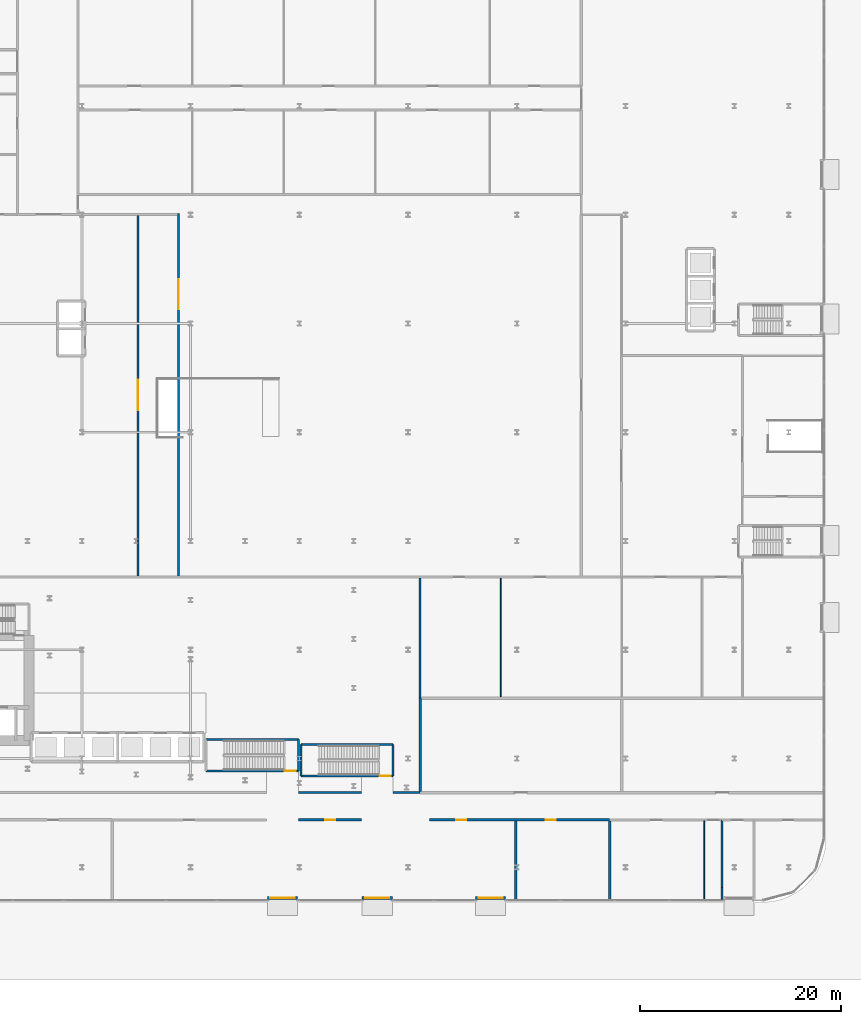
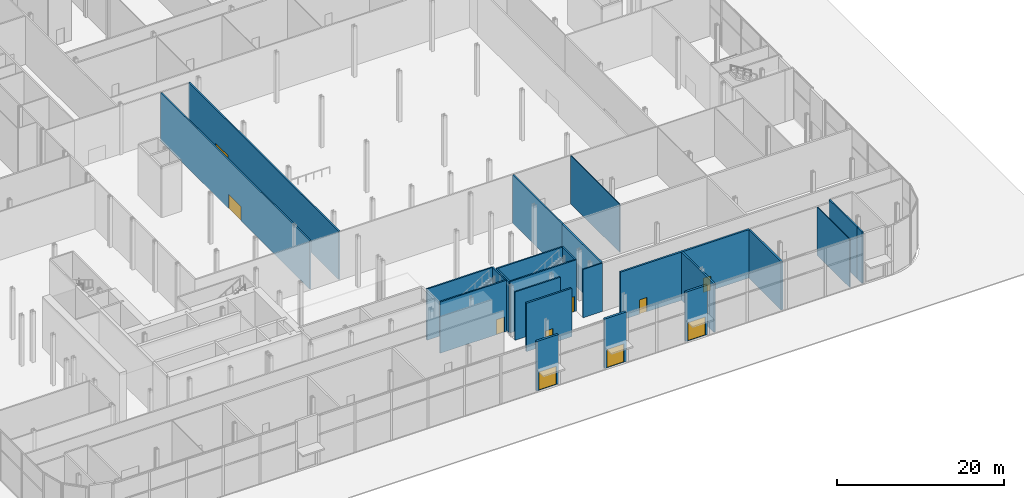
# One storey, part 26 of 46: 24 walls, 10 doors, 10 openings.
"""IFC4 building model written with IfcOpenShell, lengths in metres."""

from ifc_helpers import new_model, si_unit, direction, frame, frame_2d, origin, place, context, subcontext, project, spatial, rectangle, extrude, source, transform, mapped, material, layer, layer_set, type_object, element, fill, save


model = new_model("IFC4")

# Units and contexts
model_context = context("Model", 3, precision=1e-05, world=origin(), true_north=direction((0.0, 1.0)))
body_context = subcontext(model_context, "Body", "Model", "MODEL_VIEW")
ifc_project = project(units=[si_unit("LENGTHUNIT", "METRE"), si_unit("AREAUNIT", "SQUARE_METRE"), si_unit("VOLUMEUNIT", "CUBIC_METRE"), si_unit("PLANEANGLEUNIT", "RADIAN"), si_unit("MASSUNIT", "GRAM", prefix="KILO")], contexts=[model_context])

# Site, building, storey
site_placement = place(None, origin())
site = spatial("IfcSite", under=ifc_project, at=site_placement, CompositionType="ELEMENT")
building_placement = place(site_placement, origin())
building = spatial("IfcBuilding", under=site, at=building_placement, Name="Kheshtan School and Residences Tower", CompositionType="ELEMENT")
storey_placement = place(building_placement, origin())
storey = spatial("IfcBuildingStorey", under=building, at=storey_placement, Name="L00", CompositionType="ELEMENT", Elevation=0.0)

# Wall, opening, door
ifc_material_1 = material(Name="Gypsum board on steel studs with fire boards", Category="steel")
ifc_layer_1 = layer(ifc_material_1, 0.199951171875)
ifc_layer_set_1 = layer_set([ifc_layer_1], Name="Corridor wall 200")
wall_type_1 = type_object("IfcWallType", Name="Corridor wall 200", PredefinedType="PARTITIONING", material=ifc_layer_set_1)
wall_1_placement = place(storey_placement, frame((64.0, 42.10009765625, 0.0), z_axis=(0.0, 0.0, 1.0), x_axis=(0.0, 1.0, 0.0)))
wall_1 = element("IfcWall", 1, at=wall_1_placement, inside=storey, type_object=wall_type_1, Name="Partition L00-039", PredefinedType="PARTITIONING", context=body_context, shape_type="SweptSolid", body=[
    extrude(rectangle(XDim=35.7998046875, YDim=0.199951171875, at=frame_2d((17.89990234375, 0.0))), origin(), (0.0, 0.0, 1.0), 7.080078125),
])
opening_1_placement = place(wall_1_placement, frame((16.5, 0.0, 0.0)))
opening_1 = element("IfcOpeningElement", 2, at=opening_1_placement, cuts=wall_1, Name="Opening D00-051", PredefinedType="OPENING", context=body_context, shape_type="SweptSolid", body=[
    extrude(rectangle(XDim=3.0, YDim=2.10009765625, at=frame_2d((1.5, 1.050048828125))), frame((0.0, 0.10986328125, 0.0), z_axis=(0.0, -1.0, 0.0), x_axis=(1.0, 0.0, 0.0)), (0.0, 0.0, 1.0), 0.219970703125),
])
ifc_material_2 = material(Name="Steel-framed fire-resisting door leaf", Category="steel")
door_type_1 = type_object("IfcDoorType", Name="Fire double door FD60 3000 x 2100", OperationType="DOUBLE_DOOR_SINGLE_SWING", PredefinedType="DOOR", material=ifc_material_2)
shared_shape_1 = source(origin(), body_context, "Body", "SweptSolid", [
    extrude(rectangle(XDim=3.0, YDim=2.10009765625, at=frame_2d((1.5, 1.050048828125))), frame((0.0, 0.02490234375, 0.0), z_axis=(0.0, -1.0, 0.0), x_axis=(1.0, 0.0, 0.0)), (0.0, 0.0, 1.0), 0.050048828125),
])
door_1_placement = place(opening_1_placement, origin())
door_1 = element("IfcDoor", 3, at=door_1_placement, inside=storey, type_object=door_type_1, Name="Door D00-051", OperationType="DOUBLE_DOOR_SINGLE_SWING", OverallHeight=2.10009765625, OverallWidth=3.0, PredefinedType="DOOR", context=body_context, shape_type="MappedRepresentation", body=[
    mapped(shared_shape_1, transform((0.0, 0.0, 0.0), x_axis=(1.0, 0.0, 0.0), y_axis=(0.0, 1.0, 0.0), z_axis=(0.0, 0.0, 1.0), scale=1.0)),
])
fill(opening_1, door_1)

wall_2_placement = place(storey_placement, frame((68.0, 42.10009765625, 0.0), z_axis=(0.0, 0.0, 1.0), x_axis=(0.0, 1.0, 0.0)))
wall_2 = element("IfcWall", 4, at=wall_2_placement, inside=storey, type_object=wall_type_1, Name="Partition L00-040", PredefinedType="PARTITIONING", context=body_context, shape_type="SweptSolid", body=[
    extrude(rectangle(XDim=36.0, YDim=0.199951171875, at=frame_2d((18.0, 0.0))), origin(), (0.0, 0.0, 1.0), 7.080078125),
])
opening_2_placement = place(wall_2_placement, frame((26.5, 0.0, 0.0)))
opening_2 = element("IfcOpeningElement", 5, at=opening_2_placement, cuts=wall_2, Name="Opening D00-007", PredefinedType="OPENING", context=body_context, shape_type="SweptSolid", body=[
    extrude(rectangle(XDim=3.0, YDim=2.10009765625, at=frame_2d((1.5, 1.050048828125))), frame((0.0, 0.10986328125, 0.0), z_axis=(0.0, -1.0, 0.0), x_axis=(1.0, 0.0, 0.0)), (0.0, 0.0, 1.0), 0.219970703125),
])
door_2_placement = place(opening_2_placement, origin())
door_2 = element("IfcDoor", 6, at=door_2_placement, inside=storey, type_object=door_type_1, Name="Door D00-007", OperationType="DOUBLE_DOOR_SINGLE_SWING", OverallHeight=2.10009765625, OverallWidth=3.0, PredefinedType="DOOR", context=body_context, shape_type="MappedRepresentation", body=[
    mapped(shared_shape_1, transform((0.0, 0.0, 0.0), x_axis=(1.0, 0.0, 0.0), y_axis=(0.0, 1.0, 0.0), z_axis=(0.0, 0.0, 1.0), scale=1.0)),
])
fill(opening_2, door_2)

# Walls
wall_3_placement = place(storey_placement, frame((79.909912109375, 20.60009765625, 0.0), z_axis=(0.0, 0.0, 1.0), x_axis=(1.0, 0.0, 0.0)))
element("IfcWall", 7, at=wall_3_placement, inside=storey, type_object=wall_type_1, Name="Partition L00-046", PredefinedType="PARTITIONING", context=body_context, shape_type="SweptSolid", body=[
    extrude(rectangle(XDim=6.260009765625, YDim=0.199951171875, at=frame_2d((3.1298828125, 0.0))), origin(), (0.0, 0.0, 1.0), 7.080078125),
])
wall_4_placement = place(storey_placement, frame((89.320068359375, 20.60009765625, 0.0), z_axis=(0.0, 0.0, 1.0), x_axis=(1.0, 0.0, 0.0)))
element("IfcWall", 8, at=wall_4_placement, inside=storey, type_object=wall_type_1, Name="Partition L00-049", PredefinedType="PARTITIONING", context=body_context, shape_type="SweptSolid", body=[
    extrude(rectangle(XDim=2.679931640625, YDim=0.199951171875, at=frame_2d((1.33984375, 0.0))), origin(), (0.0, 0.0, 1.0), 7.080078125),
])
wall_5_placement = place(storey_placement, frame((92.0, 30.0, 0.0), z_axis=(0.0, 0.0, 1.0), x_axis=(0.0, 1.0, 0.0)))
element("IfcWall", 9, at=wall_5_placement, inside=storey, type_object=wall_type_1, Name="Partition L00-052", PredefinedType="PARTITIONING", context=body_context, shape_type="SweptSolid", body=[
    extrude(rectangle(XDim=11.89990234375, YDim=0.199951171875, at=frame_2d((5.949951171875, 0.0))), origin(), (0.0, 0.0, 1.0), 7.080078125),
])
ifc_material_3 = material(Name="Gypsum board on steel studs", Category="steel")
ifc_layer_2 = layer(ifc_material_3, 0.10009765625)
ifc_layer_set_2 = layer_set([ifc_layer_2], Name="Gypsum partition 100")
wall_type_2 = type_object("IfcWallType", Name="Gypsum partition 100", PredefinedType="PARTITIONING", material=ifc_layer_set_2)
wall_6_placement = place(storey_placement, frame((100.0, 30.125, 0.0), z_axis=(0.0, 0.0, 1.0), x_axis=(0.0, 1.0, 0.0)))
element("IfcWall", 10, at=wall_6_placement, inside=storey, type_object=wall_type_2, Name="Partition L00-057", PredefinedType="PARTITIONING", context=body_context, shape_type="SweptSolid", body=[
    extrude(rectangle(XDim=11.77490234375, YDim=0.10009765625, at=frame_2d((5.887451171875, 0.0))), origin(), (0.0, 0.0, 1.0), 7.080078125),
])
wall_7_placement = place(storey_placement, frame((120.235107421875, 10.0, 0.0), z_axis=(0.0, 0.0, 1.0), x_axis=(0.0, 1.0, 0.0)))
element("IfcWall", 11, at=wall_7_placement, inside=storey, type_object=wall_type_2, Name="Partition L00-077", PredefinedType="PARTITIONING", context=body_context, shape_type="SweptSolid", body=[
    extrude(rectangle(XDim=7.800048828125, YDim=0.10009765625, at=frame_2d((3.89990234375, 0.0))), origin(), (0.0, 0.0, 1.0), 7.080078125),
])

# Wall, opening, door
ifc_material_4 = material(Name="Fire-board and steel stud wall with mineral wool", Category="steel")
ifc_layer_3 = layer(ifc_material_4, 0.25)
ifc_layer_set_3 = layer_set([ifc_layer_3], Name="Plant room wall 250")
wall_type_3 = type_object("IfcWallType", Name="Plant room wall 250", PredefinedType="PARTITIONING", material=ifc_layer_set_3)
wall_8_placement = place(storey_placement, frame((79.909912109375, 17.89990234375, 0.0), z_axis=(0.0, 0.0, 1.0), x_axis=(1.0, 0.0, 0.0)))
wall_8 = element("IfcWall", 12, at=wall_8_placement, inside=storey, type_object=wall_type_3, Name="Partition L00-045", PredefinedType="PARTITIONING", context=body_context, shape_type="SweptSolid", body=[
    extrude(rectangle(XDim=6.260009765625, YDim=0.25, at=frame_2d((3.1298828125, 0.0))), origin(), (0.0, 0.0, 1.0), 7.080078125),
])
opening_3_placement = place(wall_8_placement, frame((2.64990234375, 0.0, 0.0)))
opening_3 = element("IfcOpeningElement", 13, at=opening_3_placement, cuts=wall_8, Name="Opening D00-036", PredefinedType="OPENING", context=body_context, shape_type="SweptSolid", body=[
    extrude(rectangle(XDim=1.0, YDim=2.10009765625, at=frame_2d((0.5, 1.050048828125))), frame((0.0, 0.135009765625, 0.0), z_axis=(0.0, -1.0, 0.0), x_axis=(1.0, 0.0, 0.0)), (0.0, 0.0, 1.0), 0.27001953125),
])
door_type_2 = type_object("IfcDoorType", Name="Fire door FD120 1000 x 2100", OperationType="SINGLE_SWING_LEFT", PredefinedType="DOOR", material=ifc_material_2)
shared_shape_2 = source(origin(), body_context, "Body", "SweptSolid", [
    extrude(rectangle(XDim=1.0, YDim=2.10009765625, at=frame_2d((0.5, 1.050048828125))), frame((0.0, 0.02490234375, 0.0), z_axis=(0.0, -1.0, 0.0), x_axis=(1.0, 0.0, 0.0)), (0.0, 0.0, 1.0), 0.050048828125),
])
door_3_placement = place(opening_3_placement, origin())
door_3 = element("IfcDoor", 14, at=door_3_placement, inside=storey, type_object=door_type_2, Name="Door D00-036", OperationType="SINGLE_SWING_LEFT", OverallHeight=2.10009765625, OverallWidth=1.0, PredefinedType="DOOR", context=body_context, shape_type="MappedRepresentation", body=[
    mapped(shared_shape_2, transform((0.0, 0.0, 0.0), x_axis=(1.0, 0.0, 0.0), y_axis=(0.0, 1.0, 0.0), z_axis=(0.0, 0.0, 1.0), scale=1.0)),
])
fill(opening_3, door_3)

# Wall
wall_9_placement = place(storey_placement, frame((92.0, 20.72509765625, 0.0), z_axis=(0.0, 0.0, 1.0), x_axis=(0.0, 1.0, 0.0)))
element("IfcWall", 15, at=wall_9_placement, inside=storey, type_object=wall_type_3, Name="Partition L00-051", PredefinedType="PARTITIONING", context=body_context, shape_type="SweptSolid", body=[
    extrude(rectangle(XDim=9.27490234375, YDim=0.25, at=frame_2d((4.637451171875, 0.0))), origin(), (0.0, 0.0, 1.0), 7.080078125),
])

# Wall, openings, doors
wall_10_placement = place(storey_placement, frame((92.919921875, 17.89990234375, 0.0), z_axis=(0.0, 0.0, 1.0), x_axis=(1.0, 0.0, 0.0)))
wall_10 = element("IfcWall", 16, at=wall_10_placement, inside=storey, type_object=wall_type_3, Name="Partition L00-054", PredefinedType="PARTITIONING", context=body_context, shape_type="SweptSolid", body=[
    extrude(rectangle(XDim=17.904052734375, YDim=0.25, at=frame_2d((8.9521484375, 0.0))), origin(), (0.0, 0.0, 1.0), 7.080078125),
])
opening_4_placement = place(wall_10_placement, frame((2.64990234375, 0.0, 0.0)))
opening_4 = element("IfcOpeningElement", 17, at=opening_4_placement, cuts=wall_10, Name="Opening D00-037", PredefinedType="OPENING", context=body_context, shape_type="SweptSolid", body=[
    extrude(rectangle(XDim=1.0, YDim=2.10009765625, at=frame_2d((0.5, 1.050048828125))), frame((0.0, 0.135009765625, 0.0), z_axis=(0.0, -1.0, 0.0), x_axis=(1.0, 0.0, 0.0)), (0.0, 0.0, 1.0), 0.27001953125),
])
opening_5_placement = place(wall_10_placement, frame((11.5390625, 0.0, 0.0)))
opening_5 = element("IfcOpeningElement", 18, at=opening_5_placement, cuts=wall_10, Name="Opening D00-038", PredefinedType="OPENING", context=body_context, shape_type="SweptSolid", body=[
    extrude(rectangle(XDim=1.0, YDim=2.10009765625, at=frame_2d((0.5, 1.050048828125))), frame((0.0, 0.135009765625, 0.0), z_axis=(0.0, -1.0, 0.0), x_axis=(1.0, 0.0, 0.0)), (0.0, 0.0, 1.0), 0.27001953125),
])
door_4_placement = place(opening_4_placement, origin())
door_4 = element("IfcDoor", 19, at=door_4_placement, inside=storey, type_object=door_type_2, Name="Door D00-037", OperationType="SINGLE_SWING_LEFT", OverallHeight=2.10009765625, OverallWidth=1.0, PredefinedType="DOOR", context=body_context, shape_type="MappedRepresentation", body=[
    mapped(shared_shape_2, transform((0.0, 0.0, 0.0), x_axis=(1.0, 0.0, 0.0), y_axis=(0.0, 1.0, 0.0), z_axis=(0.0, 0.0, 1.0), scale=1.0)),
])
fill(opening_4, door_4)
door_5_placement = place(opening_5_placement, origin())
door_5 = element("IfcDoor", 20, at=door_5_placement, inside=storey, type_object=door_type_2, Name="Door D00-038", OperationType="SINGLE_SWING_RIGHT", OverallHeight=2.10009765625, OverallWidth=1.0, PredefinedType="DOOR", context=body_context, shape_type="MappedRepresentation", body=[
    mapped(shared_shape_2, transform((0.0, 0.0, 0.0), x_axis=(1.0, 0.0, 0.0), y_axis=(0.0, 1.0, 0.0), z_axis=(0.0, 0.0, 1.0), scale=1.0)),
])
fill(opening_5, door_5)

# Walls
for number, where, z_axis, x_axis, name in (
    (21, (101.5, 10.0, 0.0), (0.0, 0.0, 1.0), (0.0, 1.0, 0.0), "Partition L00-058"),
    (22, (110.823974609375, 10.0, 0.0), (0.0, 0.0, 1.0), (0.0, 1.0, 0.0), "Partition L00-067"),
):
    element("IfcWall", number, at=place(storey_placement, frame(where, z_axis=z_axis, x_axis=x_axis)), inside=storey, type_object=wall_type_3, Name=name, PredefinedType="PARTITIONING", context=body_context, shape_type="SweptSolid", body=[
        extrude(rectangle(XDim=7.77490234375, YDim=0.25, at=frame_2d((3.887451171875, 0.0))), origin(), (0.0, 0.0, 1.0), 7.080078125),
    ])

# Wall, opening, door
ifc_material_5 = material(Name="Concrete C40/50 with ceramic cladding and mineral wool insulation", Category="concrete")
ifc_layer_4 = layer(ifc_material_5, 0.300048828125)
ifc_layer_set_4 = layer_set([ifc_layer_4], Name="Podium external wall 300")
wall_type_4 = type_object("IfcWallType", Name="Podium external wall 300", PredefinedType="SOLIDWALL", material=ifc_layer_set_4)
wall_11_placement = place(storey_placement, frame((100.5, 10.14990234375, 0.0), z_axis=(0.0, 0.0, 1.0), x_axis=(-1.0, 0.0, 0.0)))
wall_11 = element("IfcWall", 23, at=wall_11_placement, inside=storey, type_object=wall_type_4, Name="Podium external wall L00 12.3", PredefinedType="SOLIDWALL", context=body_context, shape_type="SweptSolid", body=[
    extrude(rectangle(XDim=3.0, YDim=0.300048828125, at=frame_2d((1.5, 0.0))), origin(), (0.0, 0.0, 1.0), 7.25),
])
opening_6_placement = place(wall_11_placement, frame((0.300048828125, 0.0, 0.0)))
opening_6 = element("IfcOpeningElement", 24, at=opening_6_placement, cuts=wall_11, Name="Opening ED", PredefinedType="OPENING", context=body_context, shape_type="SweptSolid", body=[
    extrude(rectangle(XDim=2.39990234375, YDim=2.699951171875, at=frame_2d((1.199951171875, 1.35009765625))), frame((0.0, 0.16015625, 0.0), z_axis=(0.0, -1.0, 0.0), x_axis=(1.0, 0.0, 0.0)), (0.0, 0.0, 1.0), 0.320068359375),
])
ifc_material_6 = material(Name="Clear low-e glass in thermally broken aluminium frame", Category="aluminium")
door_type_3 = type_object("IfcDoorType", Name="Entrance double door", OperationType="DOUBLE_DOOR_SINGLE_SWING", PredefinedType="DOOR", material=ifc_material_6)
shared_shape_3 = source(origin(), body_context, "Body", "SweptSolid", [
    extrude(rectangle(XDim=2.39990234375, YDim=2.699951171875, at=frame_2d((1.199951171875, 1.35009765625))), frame((0.0, 0.02490234375, 0.0), z_axis=(0.0, -1.0, 0.0), x_axis=(1.0, 0.0, 0.0)), (0.0, 0.0, 1.0), 0.050048828125),
])
door_6_placement = place(opening_6_placement, origin())
door_6 = element("IfcDoor", 25, at=door_6_placement, inside=storey, type_object=door_type_3, Name="Entrance door 12.3", OperationType="DOUBLE_DOOR_SINGLE_SWING", OverallHeight=2.699951171875, OverallWidth=2.39990234375, PredefinedType="DOOR", context=body_context, shape_type="MappedRepresentation", body=[
    mapped(shared_shape_3, transform((0.0, 0.0, 0.0), x_axis=(1.0, 0.0, 0.0), y_axis=(0.0, 1.0, 0.0), z_axis=(0.0, 0.0, 1.0), scale=1.0)),
])
fill(opening_6, door_6)

wall_12_placement = place(storey_placement, frame((89.2451171875, 10.14990234375, 0.0), z_axis=(0.0, 0.0, 1.0), x_axis=(-1.0, 0.0, 0.0)))
wall_12 = element("IfcWall", 26, at=wall_12_placement, inside=storey, type_object=wall_type_4, Name="Podium external wall L00 12.5", PredefinedType="SOLIDWALL", context=body_context, shape_type="SweptSolid", body=[
    extrude(rectangle(XDim=3.0, YDim=0.300048828125, at=frame_2d((1.5, 0.0))), origin(), (0.0, 0.0, 1.0), 7.25),
])
opening_7_placement = place(wall_12_placement, frame((0.300048828125, 0.0, 0.0)))
opening_7 = element("IfcOpeningElement", 27, at=opening_7_placement, cuts=wall_12, Name="Opening ED", PredefinedType="OPENING", context=body_context, shape_type="SweptSolid", body=[
    extrude(rectangle(XDim=2.39990234375, YDim=2.699951171875, at=frame_2d((1.199951171875, 1.35009765625))), frame((0.0, 0.16015625, 0.0), z_axis=(0.0, -1.0, 0.0), x_axis=(1.0, 0.0, 0.0)), (0.0, 0.0, 1.0), 0.320068359375),
])
door_7_placement = place(opening_7_placement, origin())
door_7 = element("IfcDoor", 28, at=door_7_placement, inside=storey, type_object=door_type_3, Name="Entrance door 12.5", OperationType="DOUBLE_DOOR_SINGLE_SWING", OverallHeight=2.699951171875, OverallWidth=2.39990234375, PredefinedType="DOOR", context=body_context, shape_type="MappedRepresentation", body=[
    mapped(shared_shape_3, transform((0.0, 0.0, 0.0), x_axis=(1.0, 0.0, 0.0), y_axis=(0.0, 1.0, 0.0), z_axis=(0.0, 0.0, 1.0), scale=1.0)),
])
fill(opening_7, door_7)

wall_13_placement = place(storey_placement, frame((79.8349609375, 10.14990234375, 0.0), z_axis=(0.0, 0.0, 1.0), x_axis=(-1.0, 0.0, 0.0)))
wall_13 = element("IfcWall", 29, at=wall_13_placement, inside=storey, type_object=wall_type_4, Name="Podium external wall L00 12.7", PredefinedType="SOLIDWALL", context=body_context, shape_type="SweptSolid", body=[
    extrude(rectangle(XDim=3.0, YDim=0.300048828125, at=frame_2d((1.5, 0.0))), origin(), (0.0, 0.0, 1.0), 7.25),
])
opening_8_placement = place(wall_13_placement, frame((0.300048828125, 0.0, 0.0)))
opening_8 = element("IfcOpeningElement", 30, at=opening_8_placement, cuts=wall_13, Name="Opening ED", PredefinedType="OPENING", context=body_context, shape_type="SweptSolid", body=[
    extrude(rectangle(XDim=2.39990234375, YDim=2.699951171875, at=frame_2d((1.199951171875, 1.35009765625))), frame((0.0, 0.16015625, 0.0), z_axis=(0.0, -1.0, 0.0), x_axis=(1.0, 0.0, 0.0)), (0.0, 0.0, 1.0), 0.320068359375),
])
door_8_placement = place(opening_8_placement, origin())
door_8 = element("IfcDoor", 31, at=door_8_placement, inside=storey, type_object=door_type_3, Name="Entrance door 12.7", OperationType="DOUBLE_DOOR_SINGLE_SWING", OverallHeight=2.699951171875, OverallWidth=2.39990234375, PredefinedType="DOOR", context=body_context, shape_type="MappedRepresentation", body=[
    mapped(shared_shape_3, transform((0.0, 0.0, 0.0), x_axis=(1.0, 0.0, 0.0), y_axis=(0.0, 1.0, 0.0), z_axis=(0.0, 0.0, 1.0), scale=1.0)),
])
fill(opening_8, door_8)

ifc_material_7 = material(Name="Concrete C40/50", Category="concrete")
ifc_layer_5 = layer(ifc_material_7, 0.199951171875)
ifc_layer_set_5 = layer_set([ifc_layer_5], Name="Stair enclosure wall 200 Concrete C40/50")
wall_type_5 = type_object("IfcWallType", Name="Stair enclosure wall 200 Concrete C40/50", PredefinedType="SHEAR", material=ifc_layer_set_5)
wall_14_placement = place(storey_placement, frame((80.159912109375, 22.25, 0.0), z_axis=(0.0, 0.0, 1.0), x_axis=(1.0, 0.0, 0.0)))
wall_14 = element("IfcWall", 32, at=wall_14_placement, inside=storey, type_object=wall_type_5, Name="Stair enclosure wall ST4", PredefinedType="SHEAR", context=body_context, shape_type="SweptSolid", body=[
    extrude(rectangle(XDim=9.16015625, YDim=0.199951171875, at=frame_2d((4.580078125, 0.0))), origin(), (0.0, 0.0, 1.0), 7.5),
])
opening_9_placement = place(wall_14_placement, frame((7.81005859375, 0.0, 0.0)))
opening_9 = element("IfcOpeningElement", 33, at=opening_9_placement, cuts=wall_14, Name="Opening ST4D", PredefinedType="OPENING", context=body_context, shape_type="SweptSolid", body=[
    extrude(rectangle(XDim=1.10009765625, YDim=2.199951171875, at=frame_2d((0.550048828125, 1.10009765625))), frame((0.0, 0.10986328125, 0.0), z_axis=(0.0, -1.0, 0.0), x_axis=(1.0, 0.0, 0.0)), (0.0, 0.0, 1.0), 0.219970703125),
])
ifc_material_8 = material(Name="Steel door leaf, galvanised", Category="steel")
door_type_4 = type_object("IfcDoorType", Name="Stair door 1100 steel 90 min", OperationType="SINGLE_SWING_LEFT", PredefinedType="DOOR", material=ifc_material_8)
shared_shape_4 = source(origin(), body_context, "Body", "SweptSolid", [
    extrude(rectangle(XDim=1.10009765625, YDim=2.199951171875, at=frame_2d((0.550048828125, 1.10009765625))), frame((0.0, 0.02490234375, 0.0), z_axis=(0.0, -1.0, 0.0), x_axis=(1.0, 0.0, 0.0)), (0.0, 0.0, 1.0), 0.050048828125),
])
door_9_placement = place(opening_9_placement, origin())
door_9 = element("IfcDoor", 34, at=door_9_placement, inside=storey, type_object=door_type_4, Name="Stair ST4 exit door", OperationType="SINGLE_SWING_RIGHT", OverallHeight=2.199951171875, OverallWidth=1.10009765625, PredefinedType="DOOR", context=body_context, shape_type="MappedRepresentation", body=[
    mapped(shared_shape_4, transform((0.0, 0.0, 0.0), x_axis=(1.0, 0.0, 0.0), y_axis=(0.0, 1.0, 0.0), z_axis=(0.0, 0.0, 1.0), scale=1.0)),
])
fill(opening_9, door_9)

# Walls
wall_15_placement = place(storey_placement, frame((80.159912109375, 25.39990234375, 0.0), z_axis=(0.0, 0.0, 1.0), x_axis=(1.0, 0.0, 0.0)))
element("IfcWall", 35, at=wall_15_placement, inside=storey, type_object=wall_type_5, Name="Stair enclosure wall ST4", PredefinedType="SHEAR", context=body_context, shape_type="SweptSolid", body=[
    extrude(rectangle(XDim=9.16015625, YDim=0.199951171875, at=frame_2d((4.580078125, 0.0))), origin(), (0.0, 0.0, 1.0), 7.5),
])
for number, where, z_axis, x_axis, name in (
    (36, (80.159912109375, 22.25, 0.0), (0.0, 0.0, 1.0), (0.0, 1.0, 0.0), "Stair enclosure wall ST4"),
    (37, (89.320068359375, 22.25, 0.0), (0.0, 0.0, 1.0), (0.0, 1.0, 0.0), "Stair enclosure wall ST4"),
):
    element("IfcWall", number, at=place(storey_placement, frame(where, z_axis=z_axis, x_axis=x_axis)), inside=storey, type_object=wall_type_5, Name=name, PredefinedType="SHEAR", context=body_context, shape_type="SweptSolid", body=[
        extrude(rectangle(XDim=3.14990234375, YDim=0.199951171875, at=frame_2d((1.574951171875, 0.0))), origin(), (0.0, 0.0, 1.0), 7.5),
    ])

# Wall, opening, door
wall_16_placement = place(storey_placement, frame((70.75, 22.75, 0.0), z_axis=(0.0, 0.0, 1.0), x_axis=(1.0, 0.0, 0.0)))
wall_16 = element("IfcWall", 38, at=wall_16_placement, inside=storey, type_object=wall_type_5, Name="Stair enclosure wall ST5", PredefinedType="SHEAR", context=body_context, shape_type="SweptSolid", body=[
    extrude(rectangle(XDim=9.159912109375, YDim=0.199951171875, at=frame_2d((4.580078125, 0.0))), origin(), (0.0, 0.0, 1.0), 7.5),
])
opening_10_placement = place(wall_16_placement, frame((7.81005859375, 0.0, 0.0)))
opening_10 = element("IfcOpeningElement", 39, at=opening_10_placement, cuts=wall_16, Name="Opening ST5D", PredefinedType="OPENING", context=body_context, shape_type="SweptSolid", body=[
    extrude(rectangle(XDim=1.10009765625, YDim=2.199951171875, at=frame_2d((0.550048828125, 1.10009765625))), frame((0.0, 0.10986328125, 0.0), z_axis=(0.0, -1.0, 0.0), x_axis=(1.0, 0.0, 0.0)), (0.0, 0.0, 1.0), 0.219970703125),
])
door_10_placement = place(opening_10_placement, origin())
door_10 = element("IfcDoor", 40, at=door_10_placement, inside=storey, type_object=door_type_4, Name="Stair ST5 exit door", OperationType="SINGLE_SWING_RIGHT", OverallHeight=2.199951171875, OverallWidth=1.10009765625, PredefinedType="DOOR", context=body_context, shape_type="MappedRepresentation", body=[
    mapped(shared_shape_4, transform((0.0, 0.0, 0.0), x_axis=(1.0, 0.0, 0.0), y_axis=(0.0, 1.0, 0.0), z_axis=(0.0, 0.0, 1.0), scale=1.0)),
])
fill(opening_10, door_10)

# Walls
wall_17_placement = place(storey_placement, frame((70.75, 25.89990234375, 0.0), z_axis=(0.0, 0.0, 1.0), x_axis=(1.0, 0.0, 0.0)))
element("IfcWall", 41, at=wall_17_placement, inside=storey, type_object=wall_type_5, Name="Stair enclosure wall ST5", PredefinedType="SHEAR", context=body_context, shape_type="SweptSolid", body=[
    extrude(rectangle(XDim=9.159912109375, YDim=0.199951171875, at=frame_2d((4.580078125, 0.0))), origin(), (0.0, 0.0, 1.0), 7.5),
])
wall_18_placement = place(storey_placement, frame((79.909912109375, 22.75, 0.0), z_axis=(0.0, 0.0, 1.0), x_axis=(0.0, 1.0, 0.0)))
element("IfcWall", 42, at=wall_18_placement, inside=storey, type_object=wall_type_5, Name="Stair enclosure wall ST5", PredefinedType="SHEAR", context=body_context, shape_type="SweptSolid", body=[
    extrude(rectangle(XDim=3.14990234375, YDim=0.199951171875, at=frame_2d((1.574951171875, 0.0))), origin(), (0.0, 0.0, 1.0), 7.5),
])
wall_19_placement = place(storey_placement, frame((122.0, 10.0, 0.0), z_axis=(0.0, 0.0, 1.0), x_axis=(0.0, 1.0, 0.0)))
element("IfcWall", 43, at=wall_19_placement, inside=storey, type_object=wall_type_5, Name="Stair enclosure wall", PredefinedType="SHEAR", context=body_context, shape_type="SweptSolid", body=[
    extrude(rectangle(XDim=1.199951171875, YDim=0.199951171875, at=frame_2d((0.60009765625, 0.0))), origin(), (0.0, 0.0, 1.0), 7.5),
])
wall_20_placement = place(storey_placement, frame((122.0, 11.199951171875, 0.0), z_axis=(0.0, 0.0, 1.0), x_axis=(0.0, 1.0, 0.0)))
element("IfcWall", 44, at=wall_20_placement, inside=storey, type_object=wall_type_5, Name="Stair enclosure wall", PredefinedType="SHEAR", context=body_context, shape_type="SweptSolid", body=[
    extrude(rectangle(XDim=6.699951171875, YDim=0.199951171875, at=frame_2d((3.35009765625, 0.0))), origin(), (0.0, 0.0, 1.0), 7.5),
])

save(model, "model.ifc")
